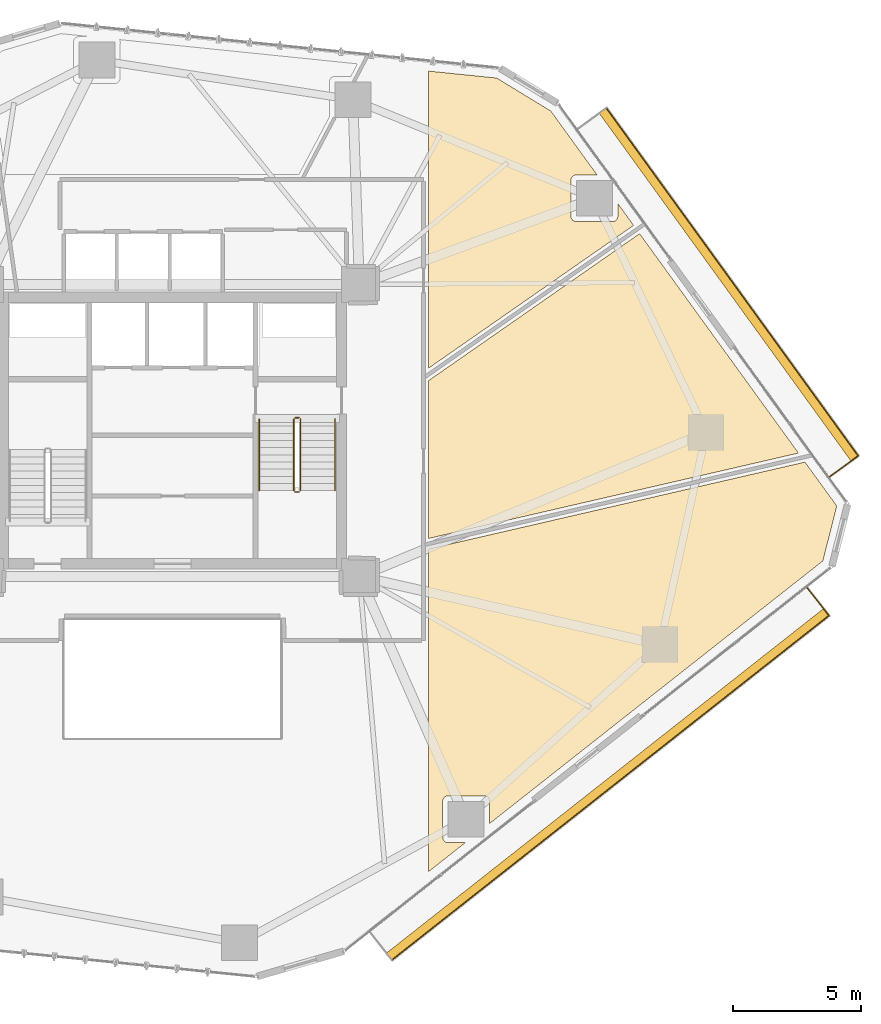
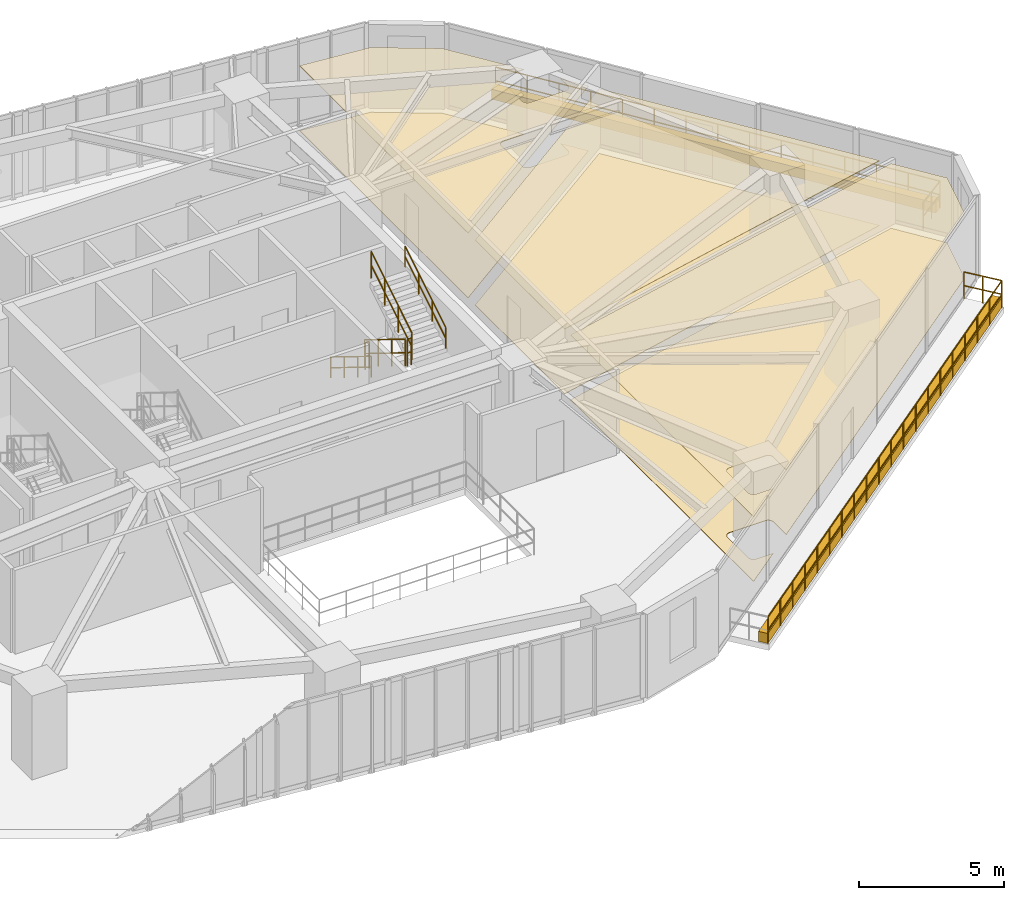
# One storey, part 23 of 24: 10 railings, 8 coverings.
"""IFC4 building model written with IfcOpenShell, lengths in metres."""

from ifc_helpers import new_model, si_unit, direction, frame, origin, origin_2d, place, context, subcontext, project, spatial, polyline, circle, outline, extrude, material, layer, layer_set, type_object, element, save


model = new_model("IFC4")

# Units and contexts
model_context = context("Model", 3, precision=1e-05, world=origin(), true_north=direction((0.0, 1.0)))
body_context = subcontext(model_context, "Body", "Model", "MODEL_VIEW")
ifc_project = project(units=[si_unit("LENGTHUNIT", "METRE"), si_unit("AREAUNIT", "SQUARE_METRE"), si_unit("VOLUMEUNIT", "CUBIC_METRE"), si_unit("PLANEANGLEUNIT", "RADIAN"), si_unit("MASSUNIT", "GRAM", prefix="KILO")], contexts=[model_context])

# Site, building, storey
site_placement = place(None, origin())
site = spatial("IfcSite", under=ifc_project, at=site_placement, CompositionType="ELEMENT")
building_placement = place(site_placement, origin())
building = spatial("IfcBuilding", under=site, at=building_placement, Name="Talar Marvaseh", CompositionType="ELEMENT")
storey_placement = place(building_placement, frame((0.0, 0.0, 73.39990234375)))
storey = spatial("IfcBuildingStorey", under=building, at=storey_placement, Name="L18", CompositionType="ELEMENT", Elevation=73.39990234375)

# Railings
ifc_material_1 = material(Name="Stainless Steel Grade 316", Category="steel")
railing_type_1 = type_object("IfcRailingType", Name="Brushed Stainless Wall Pitch Handrail 900", PredefinedType="HANDRAIL", material=ifc_material_1)
railing_1_placement = place(storey_placement, frame((29.389892578125, 31.64990234375, 0.1728515625)))
element("IfcRailing", 1, at=railing_1_placement, inside=storey, type_object=railing_type_1, Name="L18 ST-2 stair handrail 1", PredefinedType="HANDRAIL", context=body_context, shape_type="SweptSolid", body=[
    extrude(circle(Radius=0.02392578125, at=origin_2d()), frame((0.0, 0.0, 0.8759765625), z_axis=(0.0, -0.851069175582, 0.525053576669), x_axis=(1.0, 0.0, 0.0)), (0.0, 0.0, 1.0), 3.289794921875),
    extrude(circle(Radius=0.02392578125, at=origin_2d()), frame((0.0, 0.0, 0.42578125), z_axis=(0.0, -0.851069175582, 0.525053576669), x_axis=(1.0, 0.0, 0.0)), (0.0, 0.0, 1.0), 3.289794921875),
    extrude(circle(Radius=0.02099609375, at=origin_2d()), origin(), (0.0, 0.0, 1.0), 0.851806640625),
    extrude(circle(Radius=0.02099609375, at=origin_2d()), frame((0.0, -0.933349609375, 0.57568359375)), (0.0, 0.0, 1.0), 0.851806640625),
    extrude(circle(Radius=0.02099609375, at=origin_2d()), frame((0.0, -1.866455078125, 1.151611328125)), (0.0, 0.0, 1.0), 0.851806640625),
    extrude(circle(Radius=0.02099609375, at=origin_2d()), frame((0.0, -2.7998046875, 1.727294921875)), (0.0, 0.0, 1.0), 0.851806640625),
])
railing_2_placement = place(storey_placement, frame((32.35009765625, 28.85009765625, 2.07275390625)))
element("IfcRailing", 2, at=railing_2_placement, inside=storey, type_object=railing_type_1, Name="L18 ST-2 stair handrail 2", PredefinedType="HANDRAIL", context=body_context, shape_type="SweptSolid", body=[
    extrude(circle(Radius=0.02392578125, at=origin_2d()), frame((0.0, 0.0, 0.8759765625), z_axis=(0.0, 0.851069175582, 0.525053576669), x_axis=(-1.0, 0.0, 0.0)), (0.0, 0.0, 1.0), 3.289794921875),
    extrude(circle(Radius=0.02392578125, at=origin_2d()), frame((0.0, 0.0, 0.42578125), z_axis=(0.0, 0.851069175582, 0.525053576669), x_axis=(-1.0, 0.0, 0.0)), (0.0, 0.0, 1.0), 3.289794921875),
    extrude(circle(Radius=0.02099609375, at=origin_2d()), origin(), (0.0, 0.0, 1.0), 0.851806640625),
    extrude(circle(Radius=0.02099609375, at=origin_2d()), frame((0.0, 0.933349609375, 0.57568359375)), (0.0, 0.0, 1.0), 0.851806640625),
    extrude(circle(Radius=0.02099609375, at=origin_2d()), frame((0.0, 1.866455078125, 1.151611328125)), (0.0, 0.0, 1.0), 0.851806640625),
    extrude(circle(Radius=0.02099609375, at=origin_2d()), frame((0.0, 2.7998046875, 1.727294921875)), (0.0, 0.0, 1.0), 0.851806640625),
])
ifc_material_2 = material(Name="Tempered Clear Glass", Category="glass")
railing_type_2 = type_object("IfcRailingType", Name="External Laminated Glass Terrace Balustrade 1150", PredefinedType="BALUSTRADE", material=ifc_material_2)
railing_3_placement = place(storey_placement, frame((42.952392578125, 43.79052734375, 0.0)))
element("IfcRailing", 3, at=railing_3_placement, inside=storey, type_object=railing_type_2, Name="L18 External Terrace Balustrade 1 2", PredefinedType="BALUSTRADE", context=body_context, shape_type="SweptSolid", body=[
    extrude(circle(Radius=0.02392578125, at=origin_2d()), frame((0.0, 0.0, 1.1259765625), z_axis=(0.586427461643, -0.810001748289, 0.0), x_axis=(0.810001748289, 0.586427461643, 0.0)), (0.0, 0.0, 1.0), 16.766357421875),
    extrude(circle(Radius=0.02392578125, at=origin_2d()), frame((0.0, 0.0, 0.55078125), z_axis=(0.586427461643, -0.810001748289, 0.0), x_axis=(0.810001748289, 0.586427461643, 0.0)), (0.0, 0.0, 1.0), 16.766357421875),
    extrude(circle(Radius=0.02099609375, at=origin_2d()), origin(), (0.0, 0.0, 1.0), 1.101806640625),
    extrude(circle(Radius=0.02099609375, at=origin_2d()), frame((0.702392578125, -0.969970703125, 0.0)), (0.0, 0.0, 1.0), 1.101806640625),
    extrude(circle(Radius=0.02099609375, at=origin_2d()), frame((1.404541015625, -1.940185546875, 0.0)), (0.0, 0.0, 1.0), 1.101806640625),
    extrude(circle(Radius=0.02099609375, at=origin_2d()), frame((2.10693359375, -2.91015625, 0.0)), (0.0, 0.0, 1.0), 1.101806640625),
    extrude(circle(Radius=0.02099609375, at=origin_2d()), frame((2.809326171875, -3.880126953125, 0.0)), (0.0, 0.0, 1.0), 1.101806640625),
    extrude(circle(Radius=0.02099609375, at=origin_2d()), frame((3.511474609375, -4.850341796875, 0.0)), (0.0, 0.0, 1.0), 1.101806640625),
    extrude(circle(Radius=0.02099609375, at=origin_2d()), frame((4.2138671875, -5.8203125, 0.0)), (0.0, 0.0, 1.0), 1.101806640625),
    extrude(circle(Radius=0.02099609375, at=origin_2d()), frame((4.916015625, -6.79052734375, 0.0)), (0.0, 0.0, 1.0), 1.101806640625),
    extrude(circle(Radius=0.02099609375, at=origin_2d()), frame((5.618408203125, -7.760498046875, 0.0)), (0.0, 0.0, 1.0), 1.101806640625),
    extrude(circle(Radius=0.02099609375, at=origin_2d()), frame((6.32080078125, -8.73046875, 0.0)), (0.0, 0.0, 1.0), 1.101806640625),
    extrude(circle(Radius=0.02099609375, at=origin_2d()), frame((7.02294921875, -9.70068359375, 0.0)), (0.0, 0.0, 1.0), 1.101806640625),
    extrude(circle(Radius=0.02099609375, at=origin_2d()), frame((7.725341796875, -10.670654296875, 0.0)), (0.0, 0.0, 1.0), 1.101806640625),
    extrude(circle(Radius=0.02099609375, at=origin_2d()), frame((8.427734375, -11.640625, 0.0)), (0.0, 0.0, 1.0), 1.101806640625),
    extrude(circle(Radius=0.02099609375, at=origin_2d()), frame((9.1298828125, -12.61083984375, 0.0)), (0.0, 0.0, 1.0), 1.101806640625),
    extrude(circle(Radius=0.02099609375, at=origin_2d()), frame((9.832275390625, -13.580810546875, 0.0)), (0.0, 0.0, 1.0), 1.101806640625),
])
railing_4_placement = place(storey_placement, frame((52.78466796875, 30.209716796875, 0.0)))
element("IfcRailing", 4, at=railing_4_placement, inside=storey, type_object=railing_type_2, Name="L18 External Terrace Balustrade 1 3", PredefinedType="BALUSTRADE", context=body_context, shape_type="SweptSolid", body=[
    extrude(circle(Radius=0.02392578125, at=origin_2d()), frame((0.0, 0.0, 1.1259765625), z_axis=(-0.809984663489, -0.586451059264, 0.0), x_axis=(0.586451059264, -0.809984663489, 0.0)), (0.0, 0.0, 1.0), 1.409912109375),
    extrude(circle(Radius=0.02392578125, at=origin_2d()), frame((0.0, 0.0, 0.55078125), z_axis=(-0.809984663489, -0.586451059264, 0.0), x_axis=(0.586451059264, -0.809984663489, 0.0)), (0.0, 0.0, 1.0), 1.409912109375),
    extrude(circle(Radius=0.02099609375, at=origin_2d()), origin(), (0.0, 0.0, 1.0), 1.101806640625),
    extrude(circle(Radius=0.02099609375, at=origin_2d()), frame((-0.571044921875, -0.41357421875, 0.0)), (0.0, 0.0, 1.0), 1.101806640625),
    extrude(circle(Radius=0.02099609375, at=origin_2d()), frame((-1.14208984375, -0.826904296875, 0.0)), (0.0, 0.0, 1.0), 1.101806640625),
])
railing_5_placement = place(storey_placement, frame((50.77001953125, 25.078369140625, 0.0)))
element("IfcRailing", 5, at=railing_5_placement, inside=storey, type_object=railing_type_2, Name="L18 External Terrace Balustrade 2 1", PredefinedType="BALUSTRADE", context=body_context, shape_type="SweptSolid", body=[
    extrude(circle(Radius=0.02392578125, at=origin_2d()), frame((0.0, 0.0, 1.1259765625), z_axis=(0.618998473255, -0.785392188723, 0.0), x_axis=(0.785392188723, 0.618998473255, 0.0)), (0.0, 0.0, 1.0), 1.409912109375),
    extrude(circle(Radius=0.02392578125, at=origin_2d()), frame((0.0, 0.0, 0.55078125), z_axis=(0.618998473255, -0.785392188723, 0.0), x_axis=(0.785392188723, 0.618998473255, 0.0)), (0.0, 0.0, 1.0), 1.409912109375),
    extrude(circle(Radius=0.02099609375, at=origin_2d()), origin(), (0.0, 0.0, 1.0), 1.101806640625),
    extrude(circle(Radius=0.02099609375, at=origin_2d()), frame((0.4365234375, -0.5537109375, 0.0)), (0.0, 0.0, 1.0), 1.101806640625),
    extrude(circle(Radius=0.02099609375, at=origin_2d()), frame((0.872802734375, -1.107421875, 0.0)), (0.0, 0.0, 1.0), 1.101806640625),
])
railing_6_placement = place(storey_placement, frame((51.642822265625, 23.970947265625, 0.0)))
element("IfcRailing", 6, at=railing_6_placement, inside=storey, type_object=railing_type_2, Name="L18 External Terrace Balustrade 2 2", PredefinedType="BALUSTRADE", context=body_context, shape_type="SweptSolid", body=[
    extrude(circle(Radius=0.02392578125, at=origin_2d()), frame((0.0, 0.0, 1.1259765625), z_axis=(-0.785412874014, -0.618972226625, 0.0), x_axis=(0.618972226625, -0.785412874014, 0.0)), (0.0, 0.0, 1.0), 21.726806640625),
    extrude(circle(Radius=0.02392578125, at=origin_2d()), frame((0.0, 0.0, 0.55078125), z_axis=(-0.785412874014, -0.618972226625, 0.0), x_axis=(0.618972226625, -0.785412874014, 0.0)), (0.0, 0.0, 1.0), 21.726806640625),
    extrude(circle(Radius=0.02099609375, at=origin_2d()), origin(), (0.0, 0.0, 1.0), 1.101806640625),
    extrude(circle(Radius=0.02099609375, at=origin_2d()), frame((-0.898193359375, -0.707763671875, 0.0)), (0.0, 0.0, 1.0), 1.101806640625),
    extrude(circle(Radius=0.02099609375, at=origin_2d()), frame((-1.796142578125, -1.41552734375, 0.0)), (0.0, 0.0, 1.0), 1.101806640625),
    extrude(circle(Radius=0.02099609375, at=origin_2d()), frame((-2.6943359375, -2.123291015625, 0.0)), (0.0, 0.0, 1.0), 1.101806640625),
    extrude(circle(Radius=0.02099609375, at=origin_2d()), frame((-3.592529296875, -2.831298828125, 0.0)), (0.0, 0.0, 1.0), 1.101806640625),
    extrude(circle(Radius=0.02099609375, at=origin_2d()), frame((-4.49072265625, -3.5390625, 0.0)), (0.0, 0.0, 1.0), 1.101806640625),
    extrude(circle(Radius=0.02099609375, at=origin_2d()), frame((-5.388671875, -4.246826171875, 0.0)), (0.0, 0.0, 1.0), 1.101806640625),
    extrude(circle(Radius=0.02099609375, at=origin_2d()), frame((-6.286865234375, -4.95458984375, 0.0)), (0.0, 0.0, 1.0), 1.101806640625),
    extrude(circle(Radius=0.02099609375, at=origin_2d()), frame((-7.18505859375, -5.662353515625, 0.0)), (0.0, 0.0, 1.0), 1.101806640625),
    extrude(circle(Radius=0.02099609375, at=origin_2d()), frame((-8.083251953125, -6.3701171875, 0.0)), (0.0, 0.0, 1.0), 1.101806640625),
    extrude(circle(Radius=0.02099609375, at=origin_2d()), frame((-8.981201171875, -7.078125, 0.0)), (0.0, 0.0, 1.0), 1.101806640625),
    extrude(circle(Radius=0.02099609375, at=origin_2d()), frame((-9.87939453125, -7.785888671875, 0.0)), (0.0, 0.0, 1.0), 1.101806640625),
    extrude(circle(Radius=0.02099609375, at=origin_2d()), frame((-10.777587890625, -8.49365234375, 0.0)), (0.0, 0.0, 1.0), 1.101806640625),
    extrude(circle(Radius=0.02099609375, at=origin_2d()), frame((-11.67578125, -9.201416015625, 0.0)), (0.0, 0.0, 1.0), 1.101806640625),
    extrude(circle(Radius=0.02099609375, at=origin_2d()), frame((-12.57373046875, -9.9091796875, 0.0)), (0.0, 0.0, 1.0), 1.101806640625),
    extrude(circle(Radius=0.02099609375, at=origin_2d()), frame((-13.471923828125, -10.616943359375, 0.0)), (0.0, 0.0, 1.0), 1.101806640625),
    extrude(circle(Radius=0.02099609375, at=origin_2d()), frame((-14.3701171875, -11.324951171875, 0.0)), (0.0, 0.0, 1.0), 1.101806640625),
    extrude(circle(Radius=0.02099609375, at=origin_2d()), frame((-15.268310546875, -12.03271484375, 0.0)), (0.0, 0.0, 1.0), 1.101806640625),
    extrude(circle(Radius=0.02099609375, at=origin_2d()), frame((-16.166259765625, -12.740478515625, 0.0)), (0.0, 0.0, 1.0), 1.101806640625),
    extrude(circle(Radius=0.02099609375, at=origin_2d()), frame((-17.064453125, -13.4482421875, 0.0)), (0.0, 0.0, 1.0), 1.101806640625),
])
railing_type_3 = type_object("IfcRailingType", Name="Painted Steel Core Stair Well Guardrail 1150", PredefinedType="GUARDRAIL", material=ifc_material_1)
railing_7_placement = place(storey_placement, frame((30.739990234375, 31.64990234375, 0.1728515625)))
element("IfcRailing", 7, at=railing_7_placement, inside=storey, type_object=railing_type_3, Name="L18 ST-2 stair guard 1", PredefinedType="GUARDRAIL", context=body_context, shape_type="SweptSolid", body=[
    extrude(circle(Radius=0.02392578125, at=origin_2d()), frame((0.0, 0.0, 1.1259765625), z_axis=(0.0, -0.851069175582, 0.525053576669), x_axis=(1.0, 0.0, 0.0)), (0.0, 0.0, 1.0), 3.289794921875),
    extrude(circle(Radius=0.02392578125, at=origin_2d()), frame((0.0, 0.0, 0.55078125), z_axis=(0.0, -0.851069175582, 0.525053576669), x_axis=(1.0, 0.0, 0.0)), (0.0, 0.0, 1.0), 3.289794921875),
    extrude(circle(Radius=0.02099609375, at=origin_2d()), origin(), (0.0, 0.0, 1.0), 1.101806640625),
    extrude(circle(Radius=0.02099609375, at=origin_2d()), frame((0.0, -0.933349609375, 0.57568359375)), (0.0, 0.0, 1.0), 1.101806640625),
    extrude(circle(Radius=0.02099609375, at=origin_2d()), frame((0.0, -1.866455078125, 1.151611328125)), (0.0, 0.0, 1.0), 1.101806640625),
    extrude(circle(Radius=0.02099609375, at=origin_2d()), frame((0.0, -2.7998046875, 1.727294921875)), (0.0, 0.0, 1.0), 1.101806640625),
])
railing_8_placement = place(storey_placement, frame((30.7900390625, 28.800048828125, 1.900146484375)))
element("IfcRailing", 8, at=railing_8_placement, inside=storey, type_object=railing_type_3, Name="L18 ST-2 stair guard 2", PredefinedType="GUARDRAIL", context=body_context, shape_type="SweptSolid", body=[
    extrude(circle(Radius=0.02392578125, at=origin_2d()), frame((0.0, 0.0, 1.1259765625), z_axis=(1.0, 0.0, 0.0), x_axis=(0.0, 1.0, 0.0)), (0.0, 0.0, 1.0), 0.159912109375),
    extrude(circle(Radius=0.02392578125, at=origin_2d()), frame((0.0, 0.0, 0.55078125), z_axis=(1.0, 0.0, 0.0), x_axis=(0.0, 1.0, 0.0)), (0.0, 0.0, 1.0), 0.159912109375),
    extrude(circle(Radius=0.02099609375, at=origin_2d()), origin(), (0.0, 0.0, 1.0), 1.101806640625),
    extrude(circle(Radius=0.02099609375, at=origin_2d()), frame((0.159912109375, 0.0, 0.0)), (0.0, 0.0, 1.0), 1.101806640625),
])
railing_9_placement = place(storey_placement, frame((31.0, 28.85009765625, 2.07275390625)))
element("IfcRailing", 9, at=railing_9_placement, inside=storey, type_object=railing_type_3, Name="L18 ST-2 stair guard 3", PredefinedType="GUARDRAIL", context=body_context, shape_type="SweptSolid", body=[
    extrude(circle(Radius=0.02392578125, at=origin_2d()), frame((0.0, 0.0, 1.1259765625), z_axis=(0.0, 0.851069175582, 0.525053576669), x_axis=(-1.0, 0.0, 0.0)), (0.0, 0.0, 1.0), 3.289794921875),
    extrude(circle(Radius=0.02392578125, at=origin_2d()), frame((0.0, 0.0, 0.55078125), z_axis=(0.0, 0.851069175582, 0.525053576669), x_axis=(-1.0, 0.0, 0.0)), (0.0, 0.0, 1.0), 3.289794921875),
    extrude(circle(Radius=0.02099609375, at=origin_2d()), origin(), (0.0, 0.0, 1.0), 1.101806640625),
    extrude(circle(Radius=0.02099609375, at=origin_2d()), frame((0.0, 0.933349609375, 0.57568359375)), (0.0, 0.0, 1.0), 1.101806640625),
    extrude(circle(Radius=0.02099609375, at=origin_2d()), frame((0.0, 1.866455078125, 1.151611328125)), (0.0, 0.0, 1.0), 1.101806640625),
    extrude(circle(Radius=0.02099609375, at=origin_2d()), frame((0.0, 2.7998046875, 1.727294921875)), (0.0, 0.0, 1.0), 1.101806640625),
])
railing_10_placement = place(storey_placement, frame((30.7900390625, 31.699951171875, 0.0)))
element("IfcRailing", 10, at=railing_10_placement, inside=storey, type_object=railing_type_3, Name="L18 ST-2 stair guard 4", PredefinedType="GUARDRAIL", context=body_context, shape_type="SweptSolid", body=[
    extrude(circle(Radius=0.02392578125, at=origin_2d()), frame((0.0, 0.0, 1.1259765625), z_axis=(1.0, 0.0, 0.0), x_axis=(0.0, 1.0, 0.0)), (0.0, 0.0, 1.0), 0.159912109375),
    extrude(circle(Radius=0.02392578125, at=origin_2d()), frame((0.0, 0.0, 0.55078125), z_axis=(1.0, 0.0, 0.0), x_axis=(0.0, 1.0, 0.0)), (0.0, 0.0, 1.0), 0.159912109375),
    extrude(circle(Radius=0.02099609375, at=origin_2d()), origin(), (0.0, 0.0, 1.0), 1.101806640625),
    extrude(circle(Radius=0.02099609375, at=origin_2d()), frame((0.159912109375, 0.0, 0.0)), (0.0, 0.0, 1.0), 1.101806640625),
])

# Coverings
ifc_material_3 = material(Name="Mineral Fibre Acoustic Ceiling")
ifc_layer_1 = layer(ifc_material_3, 0.02490234375)
ifc_layer_set_1 = layer_set([ifc_layer_1], Name="Mineral Fibre Acoustic Ceiling")
covering_type_1 = type_object("IfcCoveringType", Name="Perforated Mineral Fibre Acoustic Suspended Ceiling", PredefinedType="CEILING", material=ifc_layer_set_1)
covering_1_placement = place(storey_placement, frame((0.0, 0.0, 2.72021484375)))
element("IfcCovering", 11, at=covering_1_placement, inside=storey, type_object=covering_type_1, Name="L18 Exhibition Gallery Acoustic Ceiling", PredefinedType="CEILING", context=body_context, shape_type="SweptSolid", body=[
    extrude(outline(polyline([(50.700927734375, 29.967041015625), (51.942138671875, 28.252685546875), (51.401123046875, 26.1103515625), (38.381591796875, 15.85009765625), (38.378662109375, 16.732421875), (38.377685546875, 16.751708984375), (38.37451171875, 16.771240234375), (38.369873046875, 16.790283203125), (38.36328125, 16.80859375), (38.354736328125, 16.826416015625), (38.3447265625, 16.843017578125), (38.3330078125, 16.858642578125), (38.31982421875, 16.873291015625), (38.305419921875, 16.88623046875), (38.28955078125, 16.89794921875), (38.272705078125, 16.907958984375), (38.255126953125, 16.91650390625), (38.236572265625, 16.923095703125), (38.2177734375, 16.927734375), (38.1982421875, 16.9306640625), (38.1787109375, 16.931640625), (36.758544921875, 16.9326171875), (36.73828125, 16.931640625), (36.718017578125, 16.928466796875), (36.697998046875, 16.923095703125), (36.6787109375, 16.916015625), (36.660400390625, 16.906982421875), (36.64306640625, 16.89599609375), (36.626953125, 16.88330078125), (36.6123046875, 16.868896484375), (36.59912109375, 16.853271484375), (36.58740234375, 16.836181640625), (36.577880859375, 16.818359375), (36.572265625, 16.806640625), (36.5654296875, 16.790283203125), (36.56005859375, 16.773193359375), (36.55615234375, 16.755859375), (36.5537109375, 16.73828125), (36.552978515625, 16.720458984375), (36.556396484375, 15.31103515625), (36.5576171875, 15.29052734375), (36.560791015625, 15.2705078125), (36.56591796875, 15.25048828125), (36.572998046875, 15.2314453125), (36.582275390625, 15.213134765625), (36.59326171875, 15.19580078125), (36.60595703125, 15.1796875), (36.6201171875, 15.1650390625), (36.6357421875, 15.152099609375), (36.652587890625, 15.140380859375), (36.670654296875, 15.130859375), (36.682373046875, 15.125244140625), (36.698486328125, 15.118408203125), (36.715576171875, 15.113037109375), (36.73291015625, 15.109130859375), (36.750244140625, 15.106689453125), (36.76806640625, 15.10595703125), (37.4375, 15.10595703125), (36.0, 13.97314453125), (36.0, 23.0), (36.0, 26.572998046875), (50.700927734375, 29.967041015625)])), origin(), (0.0, 0.0, 1.0), 0.02490234375),
])
covering_2_placement = place(storey_placement, frame((0.0, 0.0, 2.72021484375)))
element("IfcCovering", 12, at=covering_2_placement, inside=storey, type_object=covering_type_1, Name="L18 Rare Books Archive Room Acoustic Ceiling", PredefinedType="CEILING", context=body_context, shape_type="SweptSolid", body=[
    extrude(outline(polyline([(44.2431640625, 38.886962890625), (50.4462890625, 30.31884765625), (36.0, 26.983642578125), (36.0, 33.14599609375), (44.2431640625, 38.886962890625)])), origin(), (0.0, 0.0, 1.0), 0.02490234375),
])
covering_3_placement = place(storey_placement, frame((0.0, 0.0, 2.72021484375)))
element("IfcCovering", 13, at=covering_3_placement, inside=storey, type_object=covering_type_1, Name="L18 Accessible WC Block Acoustic Ceiling", PredefinedType="CEILING", context=body_context, shape_type="SweptSolid", body=[
    extrude(outline(polyline([(40.777099609375, 43.674560546875), (42.580078125, 41.18408203125), (41.777099609375, 41.18408203125), (41.75927734375, 41.18310546875), (41.74169921875, 41.180908203125), (41.724609375, 41.177001953125), (41.70751953125, 41.171630859375), (41.69140625, 41.164794921875), (41.6796875, 41.1591796875), (41.66162109375, 41.1494140625), (41.644775390625, 41.137939453125), (41.62890625, 41.124755859375), (41.61474609375, 41.110107421875), (41.60205078125, 41.093994140625), (41.591064453125, 41.076416015625), (41.58203125, 41.05810546875), (41.57470703125, 41.0390625), (41.569580078125, 41.01904296875), (41.56640625, 40.998779296875), (41.5654296875, 40.978515625), (41.56640625, 39.558349609375), (41.5673828125, 39.538818359375), (41.5703125, 39.519287109375), (41.574951171875, 39.500244140625), (41.581787109375, 39.481689453125), (41.590087890625, 39.464111328125), (41.60009765625, 39.447265625), (41.61181640625, 39.431396484375), (41.625, 39.4169921875), (41.639404296875, 39.40380859375), (41.6552734375, 39.39208984375), (41.672119140625, 39.382080078125), (41.689697265625, 39.373779296875), (41.708251953125, 39.366943359375), (41.727294921875, 39.3623046875), (41.74658203125, 39.359375), (41.766357421875, 39.3583984375), (43.186279296875, 39.357421875), (43.206787109375, 39.3583984375), (43.22705078125, 39.361572265625), (43.2470703125, 39.36669921875), (43.26611328125, 39.3740234375), (43.284423828125, 39.383056640625), (43.302001953125, 39.39404296875), (43.318115234375, 39.40673828125), (43.332763671875, 39.4208984375), (43.345947265625, 39.436767578125), (43.357421875, 39.45361328125), (43.3671875, 39.4716796875), (43.372802734375, 39.4833984375), (43.379638671875, 39.49951171875), (43.385009765625, 39.5166015625), (43.388916015625, 39.53369140625), (43.39111328125, 39.55126953125), (43.39208984375, 39.569091796875), (43.39208984375, 40.0625), (44.008544921875, 39.2109375), (36.0, 33.63330078125), (36.0, 41.0), (36.0, 45.23583984375), (38.66162109375, 44.964599609375), (40.777099609375, 43.674560546875)])), origin(), (0.0, 0.0, 1.0), 0.02490234375),
])
ifc_material_4 = material(Name="Planted Terrace Vegetated Substrate")
ifc_layer_2 = layer(ifc_material_4, 0.39990234375)
ifc_layer_set_2 = layer_set([ifc_layer_2], Name="Planted Terrace Vegetated Substrate")
covering_type_2 = type_object("IfcCoveringType", Name="Planted Terrace Soil Planter Box Cladding", PredefinedType="CLADDING", material=ifc_layer_set_2)
covering_4_placement = place(storey_placement, origin())
element("IfcCovering", 14, at=covering_4_placement, inside=storey, type_object=covering_type_2, Name="L18 Balcony Structural Planter 1", PredefinedType="CLADDING", context=body_context, shape_type="SweptSolid", body=[
    extrude(outline(polyline([(42.952392578125, 43.79052734375), (52.78466796875, 30.209716796875), (52.501220703125, 30.00439453125), (42.668701171875, 43.585205078125), (42.952392578125, 43.79052734375)])), origin(), (0.0, 0.0, 1.0), 0.420166015625),
])
covering_5_placement = place(storey_placement, origin())
element("IfcCovering", 15, at=covering_5_placement, inside=storey, type_object=covering_type_2, Name="L18 Balcony Structural Planter 2", PredefinedType="CLADDING", context=body_context, shape_type="SweptSolid", body=[
    extrude(outline(polyline([(51.642822265625, 23.970947265625), (34.578369140625, 10.522705078125), (34.36181640625, 10.797607421875), (51.42626953125, 24.245849609375), (51.642822265625, 23.970947265625)])), origin(), (0.0, 0.0, 1.0), 0.420166015625),
])
ifc_material_5 = material(Name="Porcelain Stoneware Tile", Category="masonry")
ifc_layer_3 = layer(ifc_material_5, 0.02001953125)
ifc_layer_set_3 = layer_set([ifc_layer_3], Name="Porcelain Stoneware Tile")
covering_type_3 = type_object("IfcCoveringType", Name="Polished Porcelain Stoneware Gallery Flooring", PredefinedType="FLOORING", material=ifc_layer_set_3)
covering_6_placement = place(storey_placement, origin())
element("IfcCovering", 16, at=covering_6_placement, inside=storey, type_object=covering_type_3, Name="L18 Exhibition Gallery Flooring", PredefinedType="FLOORING", context=body_context, shape_type="SweptSolid", body=[
    extrude(outline(polyline([(50.700927734375, 29.967041015625), (51.942138671875, 28.252685546875), (51.401123046875, 26.1103515625), (38.381591796875, 15.85009765625), (38.378662109375, 16.732421875), (38.377685546875, 16.751708984375), (38.37451171875, 16.771240234375), (38.369873046875, 16.790283203125), (38.36328125, 16.80859375), (38.354736328125, 16.826416015625), (38.3447265625, 16.843017578125), (38.3330078125, 16.858642578125), (38.31982421875, 16.873291015625), (38.305419921875, 16.88623046875), (38.28955078125, 16.89794921875), (38.272705078125, 16.907958984375), (38.255126953125, 16.91650390625), (38.236572265625, 16.923095703125), (38.2177734375, 16.927734375), (38.1982421875, 16.9306640625), (38.1787109375, 16.931640625), (36.758544921875, 16.9326171875), (36.73828125, 16.931640625), (36.718017578125, 16.928466796875), (36.697998046875, 16.923095703125), (36.6787109375, 16.916015625), (36.660400390625, 16.906982421875), (36.64306640625, 16.89599609375), (36.626953125, 16.88330078125), (36.6123046875, 16.868896484375), (36.59912109375, 16.853271484375), (36.58740234375, 16.836181640625), (36.577880859375, 16.818359375), (36.572265625, 16.806640625), (36.5654296875, 16.790283203125), (36.56005859375, 16.773193359375), (36.55615234375, 16.755859375), (36.5537109375, 16.73828125), (36.552978515625, 16.720458984375), (36.556396484375, 15.31103515625), (36.5576171875, 15.29052734375), (36.560791015625, 15.2705078125), (36.56591796875, 15.25048828125), (36.572998046875, 15.2314453125), (36.582275390625, 15.213134765625), (36.59326171875, 15.19580078125), (36.60595703125, 15.1796875), (36.6201171875, 15.1650390625), (36.6357421875, 15.152099609375), (36.652587890625, 15.140380859375), (36.670654296875, 15.130859375), (36.682373046875, 15.125244140625), (36.698486328125, 15.118408203125), (36.715576171875, 15.113037109375), (36.73291015625, 15.109130859375), (36.750244140625, 15.106689453125), (36.76806640625, 15.10595703125), (37.4375, 15.10595703125), (36.0, 13.97314453125), (36.0, 23.0), (36.0, 26.572998046875), (50.700927734375, 29.967041015625)])), origin(), (0.0, 0.0, 1.0), 0.02001953125),
])
covering_7_placement = place(storey_placement, origin())
element("IfcCovering", 17, at=covering_7_placement, inside=storey, type_object=covering_type_3, Name="L18 Rare Books Archive Room Flooring", PredefinedType="FLOORING", context=body_context, shape_type="SweptSolid", body=[
    extrude(outline(polyline([(44.2431640625, 38.886962890625), (50.4462890625, 30.31884765625), (36.0, 26.983642578125), (36.0, 33.14599609375), (44.2431640625, 38.886962890625)])), origin(), (0.0, 0.0, 1.0), 0.02001953125),
])
covering_8_placement = place(storey_placement, origin())
element("IfcCovering", 18, at=covering_8_placement, inside=storey, type_object=covering_type_3, Name="L18 Accessible WC Block Flooring", PredefinedType="FLOORING", context=body_context, shape_type="SweptSolid", body=[
    extrude(outline(polyline([(40.777099609375, 43.674560546875), (42.580078125, 41.18408203125), (41.777099609375, 41.18408203125), (41.75927734375, 41.18310546875), (41.74169921875, 41.180908203125), (41.724609375, 41.177001953125), (41.70751953125, 41.171630859375), (41.69140625, 41.164794921875), (41.6796875, 41.1591796875), (41.66162109375, 41.1494140625), (41.644775390625, 41.137939453125), (41.62890625, 41.124755859375), (41.61474609375, 41.110107421875), (41.60205078125, 41.093994140625), (41.591064453125, 41.076416015625), (41.58203125, 41.05810546875), (41.57470703125, 41.0390625), (41.569580078125, 41.01904296875), (41.56640625, 40.998779296875), (41.5654296875, 40.978515625), (41.56640625, 39.558349609375), (41.5673828125, 39.538818359375), (41.5703125, 39.519287109375), (41.574951171875, 39.500244140625), (41.581787109375, 39.481689453125), (41.590087890625, 39.464111328125), (41.60009765625, 39.447265625), (41.61181640625, 39.431396484375), (41.625, 39.4169921875), (41.639404296875, 39.40380859375), (41.6552734375, 39.39208984375), (41.672119140625, 39.382080078125), (41.689697265625, 39.373779296875), (41.708251953125, 39.366943359375), (41.727294921875, 39.3623046875), (41.74658203125, 39.359375), (41.766357421875, 39.3583984375), (43.186279296875, 39.357421875), (43.206787109375, 39.3583984375), (43.22705078125, 39.361572265625), (43.2470703125, 39.36669921875), (43.26611328125, 39.3740234375), (43.284423828125, 39.383056640625), (43.302001953125, 39.39404296875), (43.318115234375, 39.40673828125), (43.332763671875, 39.4208984375), (43.345947265625, 39.436767578125), (43.357421875, 39.45361328125), (43.3671875, 39.4716796875), (43.372802734375, 39.4833984375), (43.379638671875, 39.49951171875), (43.385009765625, 39.5166015625), (43.388916015625, 39.53369140625), (43.39111328125, 39.55126953125), (43.39208984375, 39.569091796875), (43.39208984375, 40.0625), (44.008544921875, 39.2109375), (36.0, 33.63330078125), (36.0, 41.0), (36.0, 45.23583984375), (38.66162109375, 44.964599609375), (40.777099609375, 43.674560546875)])), origin(), (0.0, 0.0, 1.0), 0.02001953125),
])

save(model, "model.ifc")
